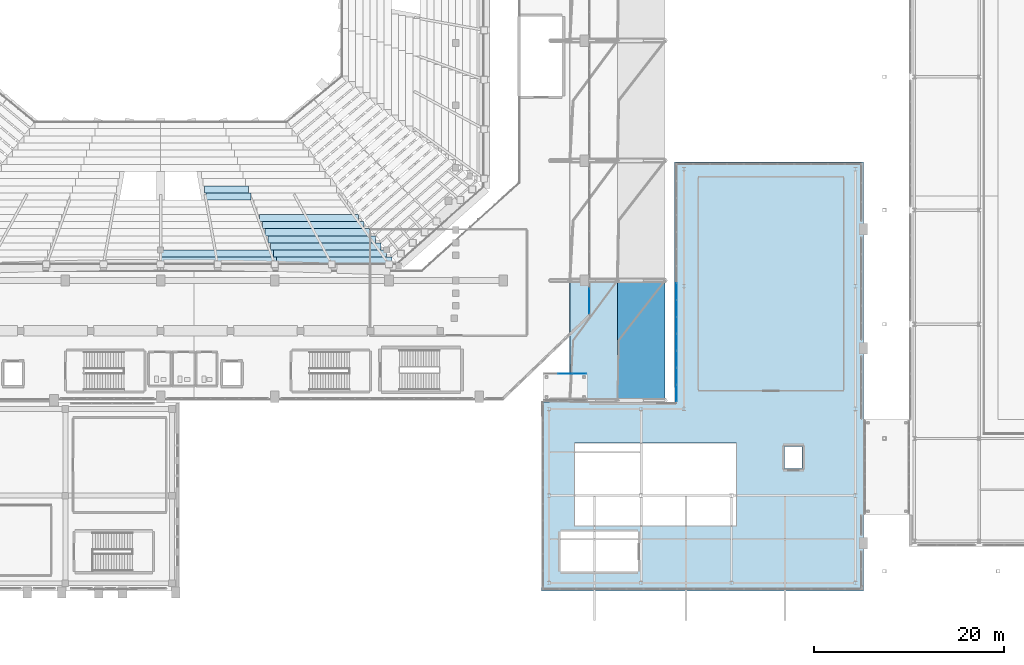
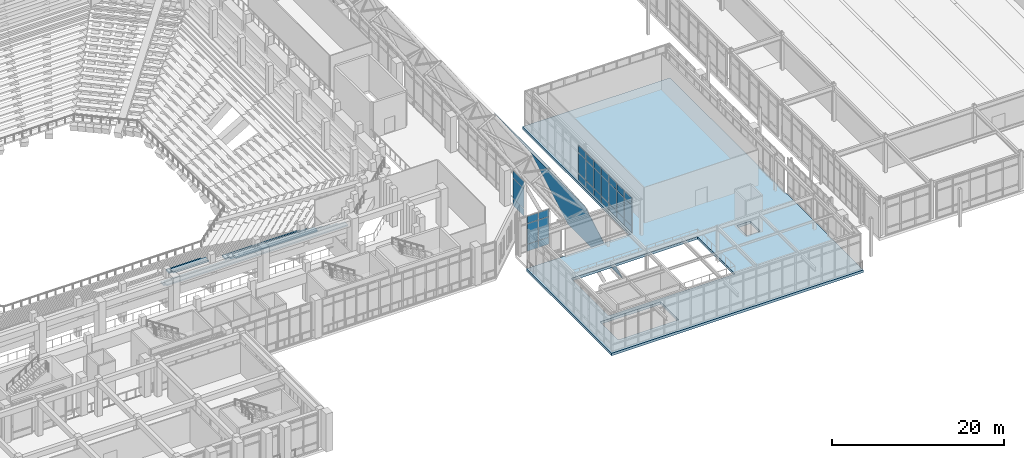
# One storey, part 94 of 159: 32 plates, 12 slabs, 3 elements without a shape of their own.
"""IFC4 building model written with IfcOpenShell, lengths in metres."""

from ifc_helpers import new_model, si_unit, derived_unit, direction, frame, origin, origin_2d, place, context, subcontext, project, spatial, polyline, rectangle, outline, extrude, material, layer, layer_set, type_object, element, aggregate, save


model = new_model("IFC4")

# Units and contexts
model_context = context("Model", 3, precision=1e-05, world=origin(), true_north=direction((0.0, 1.0)))
body_context = subcontext(model_context, "Body", "Model", "MODEL_VIEW")
ifc_project = project(units=[si_unit("LENGTHUNIT", "METRE"), si_unit("AREAUNIT", "SQUARE_METRE"), si_unit("VOLUMEUNIT", "CUBIC_METRE"), si_unit("PLANEANGLEUNIT", "RADIAN"), si_unit("MASSUNIT", "GRAM", prefix="KILO"), derived_unit("THERMALTRANSMITTANCEUNIT", [(si_unit("MASSUNIT", "GRAM", prefix="KILO"), 1), (si_unit("TIMEUNIT", "SECOND"), -3), (si_unit("THERMODYNAMICTEMPERATUREUNIT", "KELVIN"), -1)])], contexts=[model_context])

# Site, building, storey
site_placement = place(None, origin())
site = spatial("IfcSite", under=ifc_project, at=site_placement, CompositionType="ELEMENT")
building_placement = place(site_placement, origin())
building = spatial("IfcBuilding", under=site, at=building_placement, Name="Valcora Ridge Arena", CompositionType="ELEMENT")
storey_placement = place(building_placement, frame((0.0, 0.0, 6.0)))
storey = spatial("IfcBuildingStorey", under=building, at=storey_placement, Name="L01", CompositionType="ELEMENT", Elevation=6.0)

# Plates
ifc_material_1 = material(Name="Steel ASTM A572 Grade 50", Category="steel")
ifc_layer_1 = layer(ifc_material_1, 0.048095703125, Name="Steel ASTM A572 Grade 50")
ifc_layer_set_1 = layer_set([ifc_layer_1], Name="Steel ASTM A572 Grade 50")
plate_type_1 = type_object("IfcPlateType", Name="TY-PLATE-PL-SKIRT-13", PredefinedType="SHEET", material=ifc_layer_set_1)
plate_1_placement = place(storey_placement, frame((101.0, 20.0, 13.45361328125), z_axis=(0.831958588032, 0.0, 0.554837731053), x_axis=(0.554837731053, 0.0, -0.831958588032)))
element("IfcPlate", 1, at=plate_1_placement, inside=storey, type_object=plate_type_1, Name="PL-SKIRT-13 PLT-RF-0001", PredefinedType="SHEET", context=body_context, shape_type="SweptSolid", body=[
    extrude(outline(polyline([(0.0, 0.0), (9.0116438017177, 0.0), (9.0116438017177, 12.60009765625), (0.0, 12.60009765625), (0.0, 0.0)])), origin(), (0.0, 0.0, -1.0), 0.048095703125),
])
ifc_layer_2 = layer(ifc_material_1, 0.048095703125, Name="Steel ASTM A572 Grade 50")
ifc_layer_set_2 = layer_set([ifc_layer_2], Name="Steel ASTM A572 Grade 50")
plate_type_2 = type_object("IfcPlateType", Name="TY-PLATE-PL-SKIRT-14", PredefinedType="SHEET", material=ifc_layer_set_2)
plate_2_placement = place(storey_placement, frame((106.0, 20.0, 5.956298828125), z_axis=(0.922302243293, 0.0, 0.386469367501), x_axis=(0.386469367501, 0.0, -0.922302243293)))
element("IfcPlate", 2, at=plate_2_placement, inside=storey, type_object=plate_type_2, Name="PL-SKIRT-14 PLT-RF-0002", PredefinedType="SHEET", context=body_context, shape_type="SweptSolid", body=[
    extrude(outline(polyline([(0.0, 0.0), (12.963536535956582, 0.0), (12.963536535956582, 12.600097656250004), (0.0, 12.600097656250004), (0.0, 0.0)])), origin(), (0.0, 0.0, -1.0), 0.048095703125),
])

# Curtain wall, plates
ifc_material_2 = material(Name="Anodised dark bronze architectural aluminium 6063-T6", Category="aluminium")
ifc_layer_3 = layer(ifc_material_2, 0.14990234375, Name="Anodised dark bronze architectural aluminium 6063-T6")
ifc_layer_set_3 = layer_set([ifc_layer_3], Name="Anodised dark bronze architectural aluminium 6063-T6")
curtain_wall_type_1 = type_object("IfcCurtainWallType", Name="TY-CURTAINWALL-CW-BRG-045X51", PredefinedType="NOTDEFINED", material=ifc_layer_set_3)
curtain_wall_1_placement = place(storey_placement, origin())
curtain_wall_1 = element("IfcCurtainWall", 3, at=curtain_wall_1_placement, inside=storey, type_object=curtain_wall_type_1, Name="CW-BRG-045X51 CW-0349", PredefinedType="NOTDEFINED")
ifc_material_3 = material(Name="Low-iron solar-control double glazing SHGC 0.28", Category="glass")
ifc_layer_4 = layer(ifc_material_3, 0.028076171875, Name="Low-iron solar-control double glazing SHGC 0.28")
ifc_layer_set_4 = layer_set([ifc_layer_4], Name="Low-iron solar-control double glazing SHGC 0.28")
plate_type_3 = type_object("IfcPlateType", Name="TY-PLT-CWP-1422X0975", PredefinedType="CURTAIN_PANEL", material=ifc_layer_set_4)
plate_3_placement = place(storey_placement, frame((102.009033203125, 22.800048828125, 0.050048828125), z_axis=(0.0, 0.0, 1.0), x_axis=(1.0, 0.0, 0.0)))
plate_3 = element("IfcPlate", 4, at=plate_3_placement, type_object=plate_type_3, Name="CW-0349/P02-00", PredefinedType="CURTAIN_PANEL", context=body_context, shape_type="SweptSolid", body=[
    extrude(rectangle(XDim=1.422119140625, YDim=0.028076171875, at=origin_2d()), origin(), (0.0, 0.0, 1.0), 0.97509765625),
])
ifc_layer_5 = layer(ifc_material_3, 0.028076171875, Name="Low-iron solar-control double glazing SHGC 0.28")
ifc_layer_set_5 = layer_set([ifc_layer_5], Name="Low-iron solar-control double glazing SHGC 0.28")
plate_type_4 = type_object("IfcPlateType", Name="TY-PLT-CWP-1422X1025", PredefinedType="CURTAIN_PANEL", material=ifc_layer_set_5)
plate_4_placement = place(storey_placement, frame((102.009033203125, 22.800048828125, 4.005126953125), z_axis=(0.0, 0.0, 1.0), x_axis=(1.0, 0.0, 0.0)))
plate_4 = element("IfcPlate", 5, at=plate_4_placement, type_object=plate_type_4, Name="CW-0349/P02-02", PredefinedType="CURTAIN_PANEL", context=body_context, shape_type="SweptSolid", body=[
    extrude(rectangle(XDim=1.422119140625, YDim=0.028076171875, at=origin_2d()), origin(), (0.0, 0.0, 1.0), 1.02490234375),
])
ifc_layer_6 = layer(ifc_material_3, 0.028076171875, Name="Low-iron solar-control double glazing SHGC 0.28")
ifc_layer_set_6 = layer_set([ifc_layer_6], Name="Low-iron solar-control double glazing SHGC 0.28")
plate_type_5 = type_object("IfcPlateType", Name="TY-PLT-CWP-1422X2880", PredefinedType="CURTAIN_PANEL", material=ifc_layer_set_6)
plate_5_placement = place(storey_placement, frame((102.009033203125, 22.800048828125, 1.074951171875), z_axis=(0.0, 0.0, 1.0), x_axis=(1.0, 0.0, 0.0)))
plate_5 = element("IfcPlate", 6, at=plate_5_placement, type_object=plate_type_5, Name="CW-0349/P02-01", PredefinedType="CURTAIN_PANEL", context=body_context, shape_type="SweptSolid", body=[
    extrude(rectangle(XDim=1.422119140625, YDim=0.028076171875, at=origin_2d()), origin(), (0.0, 0.0, 1.0), 2.8798828125),
])
ifc_layer_7 = layer(ifc_material_3, 0.028076171875, Name="Low-iron solar-control double glazing SHGC 0.28")
ifc_layer_set_7 = layer_set([ifc_layer_7], Name="Low-iron solar-control double glazing SHGC 0.28")
plate_type_6 = type_object("IfcPlateType", Name="TY-PLT-CWP-1446X0975", PredefinedType="CURTAIN_PANEL", material=ifc_layer_set_7)
plate_6_placement = place(storey_placement, frame((100.52490234375, 22.800048828125, 0.050048828125), z_axis=(0.0, 0.0, 1.0), x_axis=(1.0, 0.0, 0.0)))
plate_6 = element("IfcPlate", 7, at=plate_6_placement, type_object=plate_type_6, Name="CW-0349/P01-00", PredefinedType="CURTAIN_PANEL", context=body_context, shape_type="SweptSolid", body=[
    extrude(rectangle(XDim=1.446044921875, YDim=0.028076171875, at=origin_2d()), origin(), (0.0, 0.0, 1.0), 0.97509765625),
])
ifc_layer_8 = layer(ifc_material_3, 0.028076171875, Name="Low-iron solar-control double glazing SHGC 0.28")
ifc_layer_set_8 = layer_set([ifc_layer_8], Name="Low-iron solar-control double glazing SHGC 0.28")
plate_type_7 = type_object("IfcPlateType", Name="TY-PLT-CWP-1446X1025", PredefinedType="CURTAIN_PANEL", material=ifc_layer_set_8)
plate_7_placement = place(storey_placement, frame((100.52490234375, 22.800048828125, 4.005126953125), z_axis=(0.0, 0.0, 1.0), x_axis=(1.0, 0.0, 0.0)))
plate_7 = element("IfcPlate", 8, at=plate_7_placement, type_object=plate_type_7, Name="CW-0349/P01-02", PredefinedType="CURTAIN_PANEL", context=body_context, shape_type="SweptSolid", body=[
    extrude(rectangle(XDim=1.446044921875, YDim=0.028076171875, at=origin_2d()), origin(), (0.0, 0.0, 1.0), 1.02490234375),
])
ifc_layer_9 = layer(ifc_material_3, 0.028076171875, Name="Low-iron solar-control double glazing SHGC 0.28")
ifc_layer_set_9 = layer_set([ifc_layer_9], Name="Low-iron solar-control double glazing SHGC 0.28")
plate_type_8 = type_object("IfcPlateType", Name="TY-PLT-CWP-1446X2880", PredefinedType="CURTAIN_PANEL", material=ifc_layer_set_9)
plate_8_placement = place(storey_placement, frame((100.52490234375, 22.800048828125, 1.074951171875), z_axis=(0.0, 0.0, 1.0), x_axis=(1.0, 0.0, 0.0)))
plate_8 = element("IfcPlate", 9, at=plate_8_placement, type_object=plate_type_8, Name="CW-0349/P01-01", PredefinedType="CURTAIN_PANEL", context=body_context, shape_type="SweptSolid", body=[
    extrude(rectangle(XDim=1.446044921875, YDim=0.028076171875, at=origin_2d()), origin(), (0.0, 0.0, 1.0), 2.8798828125),
])
aggregate(curtain_wall_1, [plate_6, plate_8, plate_7, plate_3, plate_5, plate_4])

ifc_layer_10 = layer(ifc_material_2, 0.179931640625, Name="Anodised dark bronze architectural aluminium 6063-T6")
ifc_layer_set_10 = layer_set([ifc_layer_10], Name="Anodised dark bronze architectural aluminium 6063-T6")
curtain_wall_type_2 = type_object("IfcCurtainWallType", Name="TY-CURTAINWALL-CW-V3-LANCET-250X51", PredefinedType="NOTDEFINED", material=ifc_layer_set_10)
curtain_wall_2_placement = place(storey_placement, origin())
curtain_wall_2 = element("IfcCurtainWall", 10, at=curtain_wall_2_placement, inside=storey, type_object=curtain_wall_type_2, Name="CW-V3-LANCET-250X51 CW-0018", PredefinedType="NOTDEFINED")
ifc_layer_11 = layer(ifc_material_3, 0.031982421875, Name="Low-iron solar-control double glazing SHGC 0.28")
ifc_layer_set_11 = layer_set([ifc_layer_11], Name="Low-iron solar-control double glazing SHGC 0.28")
plate_type_9 = type_object("IfcPlateType", Name="TY-PLT-CWP-1696X0960", PredefinedType="CURTAIN_PANEL", material=ifc_layer_set_11)
plate_9_placement = place(storey_placement, frame((112.199951171875, 20.758056640625, 0.06005859375), z_axis=(0.0, 0.0, 1.0), x_axis=(0.0, 1.0, 0.0)))
plate_9 = element("IfcPlate", 11, at=plate_9_placement, type_object=plate_type_9, Name="CW-0018/P00-00", PredefinedType="CURTAIN_PANEL", context=body_context, shape_type="SweptSolid", body=[
    extrude(rectangle(XDim=1.696044921875, YDim=0.031982421875, at=origin_2d()), origin(), (0.0, 0.0, 1.0), 0.9599609375),
])
ifc_layer_12 = layer(ifc_material_3, 0.031982421875, Name="Low-iron solar-control double glazing SHGC 0.28")
ifc_layer_set_12 = layer_set([ifc_layer_12], Name="Low-iron solar-control double glazing SHGC 0.28")
plate_type_10 = type_object("IfcPlateType", Name="TY-PLT-CWP-1696X1010", PredefinedType="CURTAIN_PANEL", material=ifc_layer_set_12)
plate_10_placement = place(storey_placement, frame((112.199951171875, 20.758056640625, 4.02978515625), z_axis=(0.0, 0.0, 1.0), x_axis=(0.0, 1.0, 0.0)))
plate_10 = element("IfcPlate", 12, at=plate_10_placement, type_object=plate_type_10, Name="CW-0018/P00-02", PredefinedType="CURTAIN_PANEL", context=body_context, shape_type="SweptSolid", body=[
    extrude(rectangle(XDim=1.696044921875, YDim=0.031982421875, at=origin_2d()), origin(), (0.0, 0.0, 1.0), 1.010009765625),
])
ifc_layer_13 = layer(ifc_material_3, 0.031982421875, Name="Low-iron solar-control double glazing SHGC 0.28")
ifc_layer_set_13 = layer_set([ifc_layer_13], Name="Low-iron solar-control double glazing SHGC 0.28")
plate_type_11 = type_object("IfcPlateType", Name="TY-PLT-CWP-1696X2890", PredefinedType="CURTAIN_PANEL", material=ifc_layer_set_13)
plate_11_placement = place(storey_placement, frame((112.199951171875, 20.758056640625, 1.080078125), z_axis=(0.0, 0.0, 1.0), x_axis=(0.0, 1.0, 0.0)))
plate_11 = element("IfcPlate", 13, at=plate_11_placement, type_object=plate_type_11, Name="CW-0018/P00-01", PredefinedType="CURTAIN_PANEL", context=body_context, shape_type="SweptSolid", body=[
    extrude(rectangle(XDim=1.696044921875, YDim=0.031982421875, at=origin_2d()), origin(), (0.0, 0.0, 1.0), 2.889892578125),
])
ifc_layer_14 = layer(ifc_material_3, 0.031982421875, Name="Low-iron solar-control double glazing SHGC 0.28")
ifc_layer_set_14 = layer_set([ifc_layer_14], Name="Low-iron solar-control double glazing SHGC 0.28")
plate_type_12 = type_object("IfcPlateType", Name="TY-PLT-CWP-1725X0960", PredefinedType="CURTAIN_PANEL", material=ifc_layer_set_14)
plate_12_placement = place(storey_placement, frame((112.199951171875, 22.528564453125, 0.06005859375), z_axis=(0.0, 0.0, 1.0), x_axis=(0.0, 1.0, 0.0)))
plate_12 = element("IfcPlate", 14, at=plate_12_placement, type_object=plate_type_12, Name="CW-0018/P01-00", PredefinedType="CURTAIN_PANEL", context=body_context, shape_type="SweptSolid", body=[
    extrude(rectangle(XDim=1.72509765625, YDim=0.031982421875, at=origin_2d()), origin(), (0.0, 0.0, 1.0), 0.9599609375),
])
plate_13_placement = place(storey_placement, frame((112.199951171875, 29.67138671875, 0.06005859375), z_axis=(0.0, 0.0, 1.0), x_axis=(0.0, 1.0, 0.0)))
plate_13 = element("IfcPlate", 15, at=plate_13_placement, type_object=plate_type_12, Name="CW-0018/P05-00", PredefinedType="CURTAIN_PANEL", context=body_context, shape_type="SweptSolid", body=[
    extrude(rectangle(XDim=1.72509765625, YDim=0.031982421875, at=origin_2d()), origin(), (0.0, 0.0, 1.0), 0.9599609375),
])
ifc_layer_15 = layer(ifc_material_3, 0.031982421875, Name="Low-iron solar-control double glazing SHGC 0.28")
ifc_layer_set_15 = layer_set([ifc_layer_15], Name="Low-iron solar-control double glazing SHGC 0.28")
plate_type_13 = type_object("IfcPlateType", Name="TY-PLT-CWP-1725X1010", PredefinedType="CURTAIN_PANEL", material=ifc_layer_set_15)
plate_14_placement = place(storey_placement, frame((112.199951171875, 22.528564453125, 4.02978515625), z_axis=(0.0, 0.0, 1.0), x_axis=(0.0, 1.0, 0.0)))
plate_14 = element("IfcPlate", 16, at=plate_14_placement, type_object=plate_type_13, Name="CW-0018/P01-02", PredefinedType="CURTAIN_PANEL", context=body_context, shape_type="SweptSolid", body=[
    extrude(rectangle(XDim=1.72509765625, YDim=0.031982421875, at=origin_2d()), origin(), (0.0, 0.0, 1.0), 1.010009765625),
])
plate_15_placement = place(storey_placement, frame((112.199951171875, 29.67138671875, 4.02978515625), z_axis=(0.0, 0.0, 1.0), x_axis=(0.0, 1.0, 0.0)))
plate_15 = element("IfcPlate", 17, at=plate_15_placement, type_object=plate_type_13, Name="CW-0018/P05-02", PredefinedType="CURTAIN_PANEL", context=body_context, shape_type="SweptSolid", body=[
    extrude(rectangle(XDim=1.72509765625, YDim=0.031982421875, at=origin_2d()), origin(), (0.0, 0.0, 1.0), 1.010009765625),
])
ifc_layer_16 = layer(ifc_material_3, 0.031982421875, Name="Low-iron solar-control double glazing SHGC 0.28")
ifc_layer_set_16 = layer_set([ifc_layer_16], Name="Low-iron solar-control double glazing SHGC 0.28")
plate_type_14 = type_object("IfcPlateType", Name="TY-PLT-CWP-1725X2890", PredefinedType="CURTAIN_PANEL", material=ifc_layer_set_16)
plate_16_placement = place(storey_placement, frame((112.199951171875, 22.528564453125, 1.080078125), z_axis=(0.0, 0.0, 1.0), x_axis=(0.0, 1.0, 0.0)))
plate_16 = element("IfcPlate", 18, at=plate_16_placement, type_object=plate_type_14, Name="CW-0018/P01-01", PredefinedType="CURTAIN_PANEL", context=body_context, shape_type="SweptSolid", body=[
    extrude(rectangle(XDim=1.72509765625, YDim=0.031982421875, at=origin_2d()), origin(), (0.0, 0.0, 1.0), 2.889892578125),
])
plate_17_placement = place(storey_placement, frame((112.199951171875, 29.67138671875, 1.080078125), z_axis=(0.0, 0.0, 1.0), x_axis=(0.0, 1.0, 0.0)))
plate_17 = element("IfcPlate", 19, at=plate_17_placement, type_object=plate_type_14, Name="CW-0018/P05-01", PredefinedType="CURTAIN_PANEL", context=body_context, shape_type="SweptSolid", body=[
    extrude(rectangle(XDim=1.72509765625, YDim=0.031982421875, at=origin_2d()), origin(), (0.0, 0.0, 1.0), 2.889892578125),
])
ifc_layer_17 = layer(ifc_material_3, 0.031982421875, Name="Low-iron solar-control double glazing SHGC 0.28")
ifc_layer_set_17 = layer_set([ifc_layer_17], Name="Low-iron solar-control double glazing SHGC 0.28")
plate_type_15 = type_object("IfcPlateType", Name="TY-PLT-CWP-1726X0960", PredefinedType="CURTAIN_PANEL", material=ifc_layer_set_17)
plate_18_placement = place(storey_placement, frame((112.199951171875, 24.31396484375, 0.06005859375), z_axis=(0.0, 0.0, 1.0), x_axis=(0.0, 1.0, 0.0)))
plate_18 = element("IfcPlate", 20, at=plate_18_placement, type_object=plate_type_15, Name="CW-0018/P02-00", PredefinedType="CURTAIN_PANEL", context=body_context, shape_type="SweptSolid", body=[
    extrude(rectangle(XDim=1.72607421875, YDim=0.031982421875, at=origin_2d()), origin(), (0.0, 0.0, 1.0), 0.9599609375),
])
plate_19_placement = place(storey_placement, frame((112.199951171875, 26.10009765625, 0.06005859375), z_axis=(0.0, 0.0, 1.0), x_axis=(0.0, 1.0, 0.0)))
plate_19 = element("IfcPlate", 21, at=plate_19_placement, type_object=plate_type_15, Name="CW-0018/P03-00", PredefinedType="CURTAIN_PANEL", context=body_context, shape_type="SweptSolid", body=[
    extrude(rectangle(XDim=1.72607421875, YDim=0.031982421875, at=origin_2d()), origin(), (0.0, 0.0, 1.0), 0.9599609375),
])
plate_20_placement = place(storey_placement, frame((112.199951171875, 27.885986328125, 0.06005859375), z_axis=(0.0, 0.0, 1.0), x_axis=(0.0, 1.0, 0.0)))
plate_20 = element("IfcPlate", 22, at=plate_20_placement, type_object=plate_type_15, Name="CW-0018/P04-00", PredefinedType="CURTAIN_PANEL", context=body_context, shape_type="SweptSolid", body=[
    extrude(rectangle(XDim=1.72607421875, YDim=0.031982421875, at=origin_2d()), origin(), (0.0, 0.0, 1.0), 0.9599609375),
])
plate_21_placement = place(storey_placement, frame((112.199951171875, 31.45703125, 0.06005859375), z_axis=(0.0, 0.0, 1.0), x_axis=(0.0, 1.0, 0.0)))
plate_21 = element("IfcPlate", 23, at=plate_21_placement, type_object=plate_type_15, Name="CW-0018/P06-00", PredefinedType="CURTAIN_PANEL", context=body_context, shape_type="SweptSolid", body=[
    extrude(rectangle(XDim=1.72607421875, YDim=0.031982421875, at=origin_2d()), origin(), (0.0, 0.0, 1.0), 0.9599609375),
])
ifc_layer_18 = layer(ifc_material_3, 0.031982421875, Name="Low-iron solar-control double glazing SHGC 0.28")
ifc_layer_set_18 = layer_set([ifc_layer_18], Name="Low-iron solar-control double glazing SHGC 0.28")
plate_type_16 = type_object("IfcPlateType", Name="TY-PLT-CWP-1726X1010", PredefinedType="CURTAIN_PANEL", material=ifc_layer_set_18)
plate_22_placement = place(storey_placement, frame((112.199951171875, 24.31396484375, 4.02978515625), z_axis=(0.0, 0.0, 1.0), x_axis=(0.0, 1.0, 0.0)))
plate_22 = element("IfcPlate", 24, at=plate_22_placement, type_object=plate_type_16, Name="CW-0018/P02-02", PredefinedType="CURTAIN_PANEL", context=body_context, shape_type="SweptSolid", body=[
    extrude(rectangle(XDim=1.72607421875, YDim=0.031982421875, at=origin_2d()), origin(), (0.0, 0.0, 1.0), 1.010009765625),
])
plate_23_placement = place(storey_placement, frame((112.199951171875, 26.10009765625, 4.02978515625), z_axis=(0.0, 0.0, 1.0), x_axis=(0.0, 1.0, 0.0)))
plate_23 = element("IfcPlate", 25, at=plate_23_placement, type_object=plate_type_16, Name="CW-0018/P03-02", PredefinedType="CURTAIN_PANEL", context=body_context, shape_type="SweptSolid", body=[
    extrude(rectangle(XDim=1.72607421875, YDim=0.031982421875, at=origin_2d()), origin(), (0.0, 0.0, 1.0), 1.010009765625),
])
plate_24_placement = place(storey_placement, frame((112.199951171875, 27.885986328125, 4.02978515625), z_axis=(0.0, 0.0, 1.0), x_axis=(0.0, 1.0, 0.0)))
plate_24 = element("IfcPlate", 26, at=plate_24_placement, type_object=plate_type_16, Name="CW-0018/P04-02", PredefinedType="CURTAIN_PANEL", context=body_context, shape_type="SweptSolid", body=[
    extrude(rectangle(XDim=1.72607421875, YDim=0.031982421875, at=origin_2d()), origin(), (0.0, 0.0, 1.0), 1.010009765625),
])
plate_25_placement = place(storey_placement, frame((112.199951171875, 31.45703125, 4.02978515625), z_axis=(0.0, 0.0, 1.0), x_axis=(0.0, 1.0, 0.0)))
plate_25 = element("IfcPlate", 27, at=plate_25_placement, type_object=plate_type_16, Name="CW-0018/P06-02", PredefinedType="CURTAIN_PANEL", context=body_context, shape_type="SweptSolid", body=[
    extrude(rectangle(XDim=1.72607421875, YDim=0.031982421875, at=origin_2d()), origin(), (0.0, 0.0, 1.0), 1.010009765625),
])
ifc_layer_19 = layer(ifc_material_3, 0.031982421875, Name="Low-iron solar-control double glazing SHGC 0.28")
ifc_layer_set_19 = layer_set([ifc_layer_19], Name="Low-iron solar-control double glazing SHGC 0.28")
plate_type_17 = type_object("IfcPlateType", Name="TY-PLT-CWP-1726X2890", PredefinedType="CURTAIN_PANEL", material=ifc_layer_set_19)
plate_26_placement = place(storey_placement, frame((112.199951171875, 24.31396484375, 1.080078125), z_axis=(0.0, 0.0, 1.0), x_axis=(0.0, 1.0, 0.0)))
plate_26 = element("IfcPlate", 28, at=plate_26_placement, type_object=plate_type_17, Name="CW-0018/P02-01", PredefinedType="CURTAIN_PANEL", context=body_context, shape_type="SweptSolid", body=[
    extrude(rectangle(XDim=1.72607421875, YDim=0.031982421875, at=origin_2d()), origin(), (0.0, 0.0, 1.0), 2.889892578125),
])
plate_27_placement = place(storey_placement, frame((112.199951171875, 26.10009765625, 1.080078125), z_axis=(0.0, 0.0, 1.0), x_axis=(0.0, 1.0, 0.0)))
plate_27 = element("IfcPlate", 29, at=plate_27_placement, type_object=plate_type_17, Name="CW-0018/P03-01", PredefinedType="CURTAIN_PANEL", context=body_context, shape_type="SweptSolid", body=[
    extrude(rectangle(XDim=1.72607421875, YDim=0.031982421875, at=origin_2d()), origin(), (0.0, 0.0, 1.0), 2.889892578125),
])
plate_28_placement = place(storey_placement, frame((112.199951171875, 27.885986328125, 1.080078125), z_axis=(0.0, 0.0, 1.0), x_axis=(0.0, 1.0, 0.0)))
plate_28 = element("IfcPlate", 30, at=plate_28_placement, type_object=plate_type_17, Name="CW-0018/P04-01", PredefinedType="CURTAIN_PANEL", context=body_context, shape_type="SweptSolid", body=[
    extrude(rectangle(XDim=1.72607421875, YDim=0.031982421875, at=origin_2d()), origin(), (0.0, 0.0, 1.0), 2.889892578125),
])
plate_29_placement = place(storey_placement, frame((112.199951171875, 31.45703125, 1.080078125), z_axis=(0.0, 0.0, 1.0), x_axis=(0.0, 1.0, 0.0)))
plate_29 = element("IfcPlate", 31, at=plate_29_placement, type_object=plate_type_17, Name="CW-0018/P06-01", PredefinedType="CURTAIN_PANEL", context=body_context, shape_type="SweptSolid", body=[
    extrude(rectangle(XDim=1.72607421875, YDim=0.031982421875, at=origin_2d()), origin(), (0.0, 0.0, 1.0), 2.889892578125),
])
aggregate(curtain_wall_2, [plate_9, plate_11, plate_10, plate_12, plate_16, plate_14, plate_18, plate_26, plate_22, plate_19, plate_27, plate_23, plate_20, plate_28, plate_24, plate_13, plate_17, plate_15, plate_21, plate_29, plate_25])

ifc_layer_20 = layer(ifc_material_2, 0.14990234375, Name="Anodised dark bronze architectural aluminium 6063-T6")
ifc_layer_set_20 = layer_set([ifc_layer_20], Name="Anodised dark bronze architectural aluminium 6063-T6")
curtain_wall_type_3 = type_object("IfcCurtainWallType", Name="TY-CURTAINWALL-CW-V1-EAST-026X50", PredefinedType="NOTDEFINED", material=ifc_layer_set_20)
curtain_wall_3_placement = place(storey_placement, origin())
curtain_wall_3 = element("IfcCurtainWall", 32, at=curtain_wall_3_placement, inside=storey, type_object=curtain_wall_type_3, Name="CW-V1-EAST-026X50 CW-0106", PredefinedType="NOTDEFINED")
ifc_layer_21 = layer(ifc_material_3, 0.028076171875, Name="Low-iron solar-control double glazing SHGC 0.28")
ifc_layer_set_21 = layer_set([ifc_layer_21], Name="Low-iron solar-control double glazing SHGC 0.28")
plate_type_18 = type_object("IfcPlateType", Name="TY-PLT-CWP-2543X0975", PredefinedType="CURTAIN_PANEL", material=ifc_layer_set_21)
plate_30_placement = place(storey_placement, frame((103.050048828125, 30.4384765625, 0.050048828125), z_axis=(0.0, 0.0, 1.0), x_axis=(0.0, 1.0, 0.0)))
plate_30 = element("IfcPlate", 33, at=plate_30_placement, type_object=plate_type_18, Name="CW-0106/P00-00", PredefinedType="CURTAIN_PANEL", context=body_context, shape_type="SweptSolid", body=[
    extrude(rectangle(XDim=2.54296875, YDim=0.028076171875, at=origin_2d()), origin(), (0.0, 0.0, 1.0), 0.97509765625),
])
ifc_layer_22 = layer(ifc_material_3, 0.028076171875, Name="Low-iron solar-control double glazing SHGC 0.28")
ifc_layer_set_22 = layer_set([ifc_layer_22], Name="Low-iron solar-control double glazing SHGC 0.28")
plate_type_19 = type_object("IfcPlateType", Name="TY-PLT-CWP-2543X1025", PredefinedType="CURTAIN_PANEL", material=ifc_layer_set_22)
plate_31_placement = place(storey_placement, frame((103.050048828125, 30.4384765625, 3.965087890625), z_axis=(0.0, 0.0, 1.0), x_axis=(0.0, 1.0, 0.0)))
plate_31 = element("IfcPlate", 34, at=plate_31_placement, type_object=plate_type_19, Name="CW-0106/P00-02", PredefinedType="CURTAIN_PANEL", context=body_context, shape_type="SweptSolid", body=[
    extrude(rectangle(XDim=2.54296875, YDim=0.028076171875, at=origin_2d()), origin(), (0.0, 0.0, 1.0), 1.02490234375),
])
ifc_layer_23 = layer(ifc_material_3, 0.028076171875, Name="Low-iron solar-control double glazing SHGC 0.28")
ifc_layer_set_23 = layer_set([ifc_layer_23], Name="Low-iron solar-control double glazing SHGC 0.28")
plate_type_20 = type_object("IfcPlateType", Name="TY-PLT-CWP-2543X2840", PredefinedType="CURTAIN_PANEL", material=ifc_layer_set_23)
plate_32_placement = place(storey_placement, frame((103.050048828125, 30.4384765625, 1.0751953125), z_axis=(0.0, 0.0, 1.0), x_axis=(0.0, 1.0, 0.0)))
plate_32 = element("IfcPlate", 35, at=plate_32_placement, type_object=plate_type_20, Name="CW-0106/P00-01", PredefinedType="CURTAIN_PANEL", context=body_context, shape_type="SweptSolid", body=[
    extrude(rectangle(XDim=2.54296875, YDim=0.028076171875, at=origin_2d()), origin(), (0.0, 0.0, 1.0), 2.840087890625),
])
aggregate(curtain_wall_3, [plate_30, plate_32, plate_31])

# Slabs
ifc_material_4 = material(Name="Concrete C40/50", Category="concrete")
ifc_layer_24 = layer(ifc_material_4, 0.360107421875, Name="Concrete C40/50")
ifc_layer_set_24 = layer_set([ifc_layer_24], Name="Concrete C40/50")
slab_type_1 = type_object("IfcSlabType", Name="TY-SLAB-SL-FOY-360", PredefinedType="FLOOR", material=ifc_layer_set_24)
slab_1_placement = place(storey_placement, frame((0.0, 0.0, -0.360107421875)))
element("IfcSlab", 36, at=slab_1_placement, inside=storey, type_object=slab_type_1, Name="SL-FOY-360 SLB-0057", PredefinedType="FLOOR", context=body_context, shape_type="SweptSolid", body=[
    extrude(outline(polyline([(98.0, 19.85009765625), (98.0, 0.0), (131.85009765625, 0.0), (131.85009765625, 45.050048828125), (112.0, 45.050048828125), (112.0, 19.85009765625), (98.0, 19.85009765625)]), holes=[polyline([(108.159912109375, 6.199951171875), (100.0, 6.199951171875), (100.0, 2.0), (108.159912109375, 2.0), (108.159912109375, 6.199951171875)]), polyline([(101.5, 15.5), (101.5, 6.800048828125), (118.5, 6.800048828125), (118.5, 15.5), (101.5, 15.5)]), polyline([(123.580078125, 15.169921875), (123.580078125, 12.830078125), (125.419921875, 12.830078125), (125.419921875, 15.169921875), (123.580078125, 15.169921875)])]), origin(), (0.0, 0.0, 1.0), 0.360107421875),
])
ifc_material_5 = material(Name="Precast concrete C45/55", Category="concrete")
ifc_layer_25 = layer(ifc_material_5, 0.199951171875, Name="Precast concrete C45/55")
ifc_layer_set_25 = layer_set([ifc_layer_25], Name="Precast concrete C45/55")
slab_type_2 = type_object("IfcSlabType", Name="TY-SLAB-ST-LOW-L046", PredefinedType="USERDEFINED", material=ifc_layer_set_25)
slab_2_placement = place(storey_placement, frame((0.0, 0.0, -1.639892578125)))
element("IfcSlab", 37, at=slab_2_placement, inside=storey, type_object=slab_type_2, Name="ST-LOW-L046 SLB-TR-0219", ObjectType="SEATING TIER", PredefinedType="USERDEFINED", context=body_context, shape_type="SweptSolid", body=[
    extrude(outline(polyline([(62.6162109375, 42.550048828125), (67.232421875, 42.550048828125), (67.232421875, 41.800048828125), (62.6162109375, 41.800048828125), (62.6162109375, 42.550048828125)])), origin(), (0.0, 0.0, 1.0), 0.199951171875),
])
ifc_layer_26 = layer(ifc_material_5, 0.199951171875, Name="Precast concrete C45/55")
ifc_layer_set_26 = layer_set([ifc_layer_26], Name="Precast concrete C45/55")
slab_type_3 = type_object("IfcSlabType", Name="TY-SLAB-ST-LOW-L048", PredefinedType="USERDEFINED", material=ifc_layer_set_26)
slab_3_placement = place(storey_placement, frame((0.0, 0.0, -1.199951171875)))
element("IfcSlab", 38, at=slab_3_placement, inside=storey, type_object=slab_type_3, Name="ST-LOW-L048 SLB-TR-0243", ObjectType="SEATING TIER", PredefinedType="USERDEFINED", context=body_context, shape_type="SweptSolid", body=[
    extrude(outline(polyline([(62.762451171875, 41.800048828125), (67.52490234375, 41.800048828125), (67.52490234375, 41.050048828125), (62.762451171875, 41.050048828125), (62.762451171875, 41.800048828125)])), origin(), (0.0, 0.0, 1.0), 0.199951171875),
])
ifc_layer_27 = layer(ifc_material_5, 0.199951171875, Name="Precast concrete C45/55")
ifc_layer_set_27 = layer_set([ifc_layer_27], Name="Precast concrete C45/55")
slab_type_4 = type_object("IfcSlabType", Name="TY-SLAB-ST-LOW-L104", PredefinedType="USERDEFINED", material=ifc_layer_set_27)
slab_4_placement = place(storey_placement, frame((0.0, 0.0, 0.1201171875)))
element("IfcSlab", 39, at=slab_4_placement, inside=storey, type_object=slab_type_4, Name="ST-LOW-L104 SLB-TR-0316", ObjectType="SEATING TIER", PredefinedType="USERDEFINED", context=body_context, shape_type="SweptSolid", body=[
    extrude(outline(polyline([(68.402587890625, 39.550048828125), (78.804931640625, 39.550048828125), (78.804931640625, 38.800048828125), (68.402587890625, 38.800048828125), (68.402587890625, 39.550048828125)])), origin(), (0.0, 0.0, 1.0), 0.199951171875),
])
ifc_layer_28 = layer(ifc_material_5, 0.199951171875, Name="Precast concrete C45/55")
ifc_layer_set_28 = layer_set([ifc_layer_28], Name="Precast concrete C45/55")
slab_type_5 = type_object("IfcSlabType", Name="TY-SLAB-ST-LOW-L107", PredefinedType="USERDEFINED", material=ifc_layer_set_28)
slab_5_placement = place(storey_placement, frame((0.0, 0.0, 0.56005859375)))
element("IfcSlab", 40, at=slab_5_placement, inside=storey, type_object=slab_type_5, Name="ST-LOW-L107 SLB-TR-0340", ObjectType="SEATING TIER", PredefinedType="USERDEFINED", context=body_context, shape_type="SweptSolid", body=[
    extrude(outline(polyline([(68.695068359375, 38.800048828125), (79.389892578125, 38.800048828125), (79.389892578125, 38.050048828125), (68.695068359375, 38.050048828125), (68.695068359375, 38.800048828125)])), origin(), (0.0, 0.0, 1.0), 0.199951171875),
])
ifc_layer_29 = layer(ifc_material_5, 0.199951171875, Name="Precast concrete C45/55")
ifc_layer_set_29 = layer_set([ifc_layer_29], Name="Precast concrete C45/55")
slab_type_6 = type_object("IfcSlabType", Name="TY-SLAB-ST-LOW-L110", PredefinedType="USERDEFINED", material=ifc_layer_set_29)
slab_6_placement = place(storey_placement, frame((0.0, 0.0, 1.0)))
element("IfcSlab", 41, at=slab_6_placement, inside=storey, type_object=slab_type_6, Name="ST-LOW-L110 SLB-TR-0364", ObjectType="SEATING TIER", PredefinedType="USERDEFINED", context=body_context, shape_type="SweptSolid", body=[
    extrude(outline(polyline([(68.987548828125, 38.050048828125), (79.97509765625, 38.050048828125), (79.97509765625, 37.300048828125), (68.987548828125, 37.300048828125), (68.987548828125, 38.050048828125)])), origin(), (0.0, 0.0, 1.0), 0.199951171875),
])
ifc_layer_30 = layer(ifc_material_5, 0.199951171875, Name="Precast concrete C45/55")
ifc_layer_set_30 = layer_set([ifc_layer_30], Name="Precast concrete C45/55")
slab_type_7 = type_object("IfcSlabType", Name="TY-SLAB-ST-LOW-L113", PredefinedType="USERDEFINED", material=ifc_layer_set_30)
slab_7_placement = place(storey_placement, frame((0.0, 0.0, 1.43994140625)))
element("IfcSlab", 42, at=slab_7_placement, inside=storey, type_object=slab_type_7, Name="ST-LOW-L113 SLB-TR-0388", ObjectType="SEATING TIER", PredefinedType="USERDEFINED", context=body_context, shape_type="SweptSolid", body=[
    extrude(outline(polyline([(69.280029296875, 37.300048828125), (80.56005859375, 37.300048828125), (80.56005859375, 36.550048828125), (69.280029296875, 36.550048828125), (69.280029296875, 37.300048828125)])), origin(), (0.0, 0.0, 1.0), 0.199951171875),
])
ifc_layer_31 = layer(ifc_material_5, 0.199951171875, Name="Precast concrete C45/55")
ifc_layer_set_31 = layer_set([ifc_layer_31], Name="Precast concrete C45/55")
slab_type_8 = type_object("IfcSlabType", Name="TY-SLAB-ST-LOW-L116", PredefinedType="USERDEFINED", material=ifc_layer_set_31)
slab_8_placement = place(storey_placement, frame((0.0, 0.0, 1.8798828125)))
element("IfcSlab", 43, at=slab_8_placement, inside=storey, type_object=slab_type_8, Name="ST-LOW-L116 SLB-TR-0412", ObjectType="SEATING TIER", PredefinedType="USERDEFINED", context=body_context, shape_type="SweptSolid", body=[
    extrude(outline(polyline([(69.572509765625, 36.550048828125), (81.14501953125, 36.550048828125), (81.14501953125, 35.800048828125), (69.572509765625, 35.800048828125), (69.572509765625, 36.550048828125)])), origin(), (0.0, 0.0, 1.0), 0.2001953125),
])
ifc_layer_32 = layer(ifc_material_5, 0.199951171875, Name="Precast concrete C45/55")
ifc_layer_set_32 = layer_set([ifc_layer_32], Name="Precast concrete C45/55")
slab_type_9 = type_object("IfcSlabType", Name="TY-SLAB-ST-LOW-L119", PredefinedType="USERDEFINED", material=ifc_layer_set_32)
slab_9_placement = place(storey_placement, frame((0.0, 0.0, 2.320068359375)))
element("IfcSlab", 44, at=slab_9_placement, inside=storey, type_object=slab_type_9, Name="ST-LOW-L119 SLB-TR-0435", ObjectType="SEATING TIER", PredefinedType="USERDEFINED", context=body_context, shape_type="SweptSolid", body=[
    extrude(outline(polyline([(58.0, 35.800048828125), (69.864990234375, 35.800048828125), (69.864990234375, 35.050048828125), (58.0, 35.050048828125), (58.0, 35.800048828125)])), origin(), (0.0, 0.0, 1.0), 0.199951171875),
])
slab_10_placement = place(storey_placement, frame((0.0, 0.0, 2.320068359375)))
element("IfcSlab", 45, at=slab_10_placement, inside=storey, type_object=slab_type_9, Name="ST-LOW-L119 SLB-TR-0436", ObjectType="SEATING TIER", PredefinedType="USERDEFINED", context=body_context, shape_type="SweptSolid", body=[
    extrude(outline(polyline([(69.864990234375, 35.800048828125), (81.72998046875, 35.800048828125), (81.72998046875, 35.050048828125), (69.864990234375, 35.050048828125), (69.864990234375, 35.800048828125)])), origin(), (0.0, 0.0, 1.0), 0.199951171875),
])
ifc_layer_33 = layer(ifc_material_5, 0.199951171875, Name="Precast concrete C45/55")
ifc_layer_set_33 = layer_set([ifc_layer_33], Name="Precast concrete C45/55")
slab_type_10 = type_object("IfcSlabType", Name="TY-SLAB-ST-LOW-L122", PredefinedType="USERDEFINED", material=ifc_layer_set_33)
slab_11_placement = place(storey_placement, frame((0.0, 0.0, 2.760009765625)))
element("IfcSlab", 46, at=slab_11_placement, inside=storey, type_object=slab_type_10, Name="ST-LOW-L122 SLB-TR-0459", ObjectType="SEATING TIER", PredefinedType="USERDEFINED", context=body_context, shape_type="SweptSolid", body=[
    extrude(outline(polyline([(58.0, 35.050048828125), (70.157470703125, 35.050048828125), (70.157470703125, 34.300048828125), (58.0, 34.300048828125), (58.0, 35.050048828125)])), origin(), (0.0, 0.0, 1.0), 0.199951171875),
])
slab_12_placement = place(storey_placement, frame((0.0, 0.0, 2.760009765625)))
element("IfcSlab", 47, at=slab_12_placement, inside=storey, type_object=slab_type_10, Name="ST-LOW-L122 SLB-TR-0460", ObjectType="SEATING TIER", PredefinedType="USERDEFINED", context=body_context, shape_type="SweptSolid", body=[
    extrude(outline(polyline([(70.157470703125, 35.050048828125), (82.31494140625, 35.050048828125), (82.31494140625, 34.300048828125), (70.157470703125, 34.300048828125), (70.157470703125, 35.050048828125)])), origin(), (0.0, 0.0, 1.0), 0.199951171875),
])

save(model, "model.ifc")
